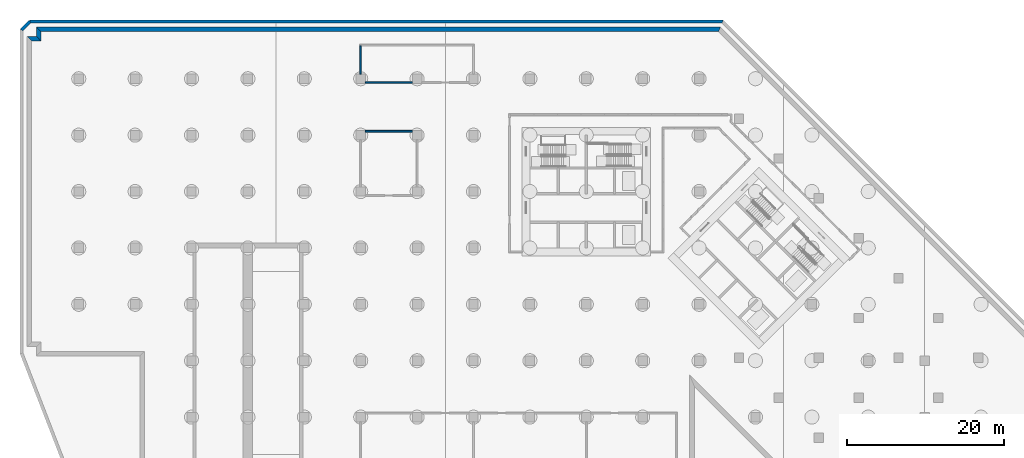
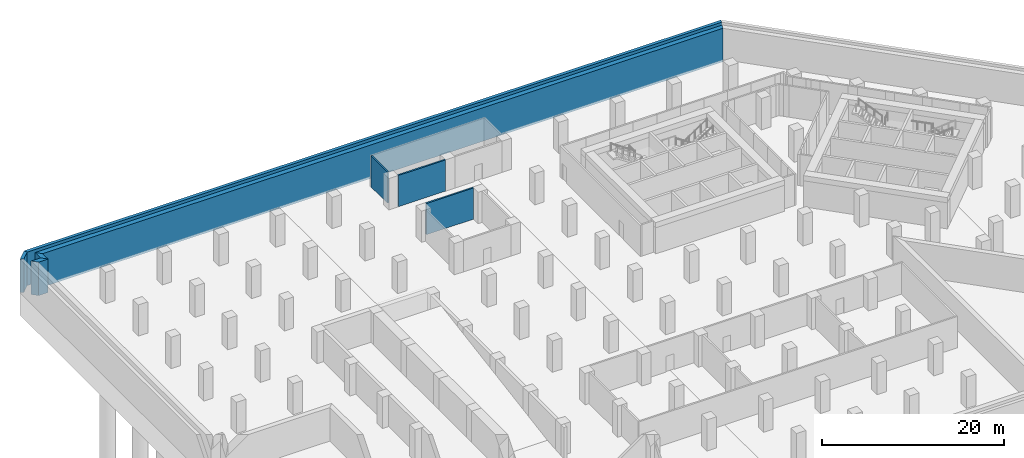
# One storey, part 8 of 12: 8 walls.
"""IFC4 building model written with IfcOpenShell, lengths in metres."""

from ifc_helpers import new_model, si_unit, direction, frame, frame_2d, origin, place, context, subcontext, project, spatial, polyline, rectangle, outline, extrude, material, layer, layer_set, type_object, element, save


model = new_model("IFC4")

# Units and contexts
model_context = context("Model", 3, precision=1e-05, world=origin(), true_north=direction((0.0, 1.0)))
body_context = subcontext(model_context, "Body", "Model", "MODEL_VIEW")
ifc_project = project(units=[si_unit("LENGTHUNIT", "METRE"), si_unit("AREAUNIT", "SQUARE_METRE"), si_unit("VOLUMEUNIT", "CUBIC_METRE"), si_unit("PLANEANGLEUNIT", "RADIAN"), si_unit("MASSUNIT", "GRAM", prefix="KILO")], contexts=[model_context])

# Site, building, storey
site_placement = place(None, origin())
site = spatial("IfcSite", under=ifc_project, at=site_placement, CompositionType="ELEMENT")
building_placement = place(site_placement, origin())
building = spatial("IfcBuilding", under=site, at=building_placement, Name="Windrow Commons", CompositionType="ELEMENT")
storey_placement = place(building_placement, frame((0.0, 0.0, -9.0)))
storey = spatial("IfcBuildingStorey", under=building, at=storey_placement, Name="B2", CompositionType="ELEMENT", Elevation=-9.0)

# Walls
ifc_material_1 = material(Name="Blockwork partition", Category="masonry")
ifc_layer_1 = layer(ifc_material_1, 0.2)
ifc_layer_set_1 = layer_set([ifc_layer_1], Name="CP-PART-200")
wall_type_1 = type_object("IfcWallType", Name="CP-PART-200", PredefinedType="PARTITIONING", material=ifc_layer_set_1)
wall_1_placement = place(storey_placement, frame((36.0, 72.6, 0.0), z_axis=(0.0, 0.0, 1.0), x_axis=(0.0, 1.0, 0.0)))
element("IfcWall", 1, at=wall_1_placement, inside=storey, type_object=wall_type_1, Name="Plant room wall 08", PredefinedType="PARTITIONING", context=body_context, shape_type="SweptSolid", body=[
    extrude(rectangle(XDim=3.6, YDim=0.2, at=frame_2d((1.8, 0.0))), origin(), (0.0, 0.0, 1.0), 4.2),
])
for number, where, z_axis, x_axis, name in (
    (2, (36.6, 65.3, 0.0), (0.0, 0.0, 1.0), (1.0, 0.0, 0.0), "Plant room wall 27"),
    (3, (36.6, 71.5, 0.0), (0.0, 0.0, 1.0), (1.0, 0.0, 0.0), "Plant room wall 28"),
):
    element("IfcWall", number, at=place(storey_placement, frame(where, z_axis=z_axis, x_axis=x_axis)), inside=storey, type_object=wall_type_1, Name=name, PredefinedType="PARTITIONING", context=body_context, shape_type="SweptSolid", body=[
        extrude(rectangle(XDim=6.0, YDim=0.2, at=frame_2d((3.0, 0.0))), origin(), (0.0, 0.0, 1.0), 4.2),
    ])
ifc_material_2 = material(Name="Concrete C40/50", Category="concrete")
ifc_layer_2 = layer(ifc_material_2, 0.4)
ifc_layer_set_2 = layer_set([ifc_layer_2], Name="RC RETAINING WALL 400 C40/50")
wall_type_2 = type_object("IfcWallType", Name="RC RETAINING WALL 400 C40/50", PredefinedType="SOLIDWALL", material=ifc_layer_set_2)
wall_2_placement = place(storey_placement, frame((-7.3, 78.2172, -0.3), z_axis=(0.0, 0.0, 1.0), x_axis=(0.7071067812, 0.7071067812, 0.0)))
element("IfcWall", 4, at=wall_2_placement, inside=storey, type_object=wall_type_2, Name="Retaining wall raft edge B2-004", PredefinedType="SOLIDWALL", context=body_context, shape_type="SweptSolid", body=[
    extrude(outline(polyline([(0.0414, -0.2), (1.4899, -0.2), (1.5728, 0.2), (-0.0414, 0.2), (0.0414, -0.2)])), origin(), (0.0, 0.0, 1.0), 4.5),
])
wall_3_placement = place(storey_placement, frame((-6.2172, 79.3, -0.3), z_axis=(0.0, 0.0, 1.0), x_axis=(1.0, 0.0, 0.0)))
element("IfcWall", 5, at=wall_3_placement, inside=storey, type_object=wall_type_2, Name="Retaining wall raft edge B2-005", PredefinedType="SOLIDWALL", context=body_context, shape_type="SweptSolid", body=[
    extrude(outline(polyline([(0.0414, -0.2), (88.3995, -0.2), (88.4823, 0.2), (-0.0414, 0.2), (0.0414, -0.2)])), origin(), (0.0, 0.0, 1.0), 4.5),
])
ifc_material_3 = material(Name="Concrete C40/50", Category="concrete")
ifc_layer_3 = layer(ifc_material_3, 0.6)
ifc_layer_set_3 = layer_set([ifc_layer_3], Name="RC RETAINING WALL 600 C40/50")
wall_type_3 = type_object("IfcWallType", Name="RC RETAINING WALL 600 C40/50", PredefinedType="SOLIDWALL", material=ifc_layer_set_3)
placement = place(storey_placement, frame((0.0, 0.0, -0.3)))
element("IfcWall", 6, at=placement, inside=storey, type_object=wall_type_3, Name="Retaining wall B2-10", PredefinedType="SOLIDWALL", context=body_context, shape_type="SweptSolid", body=[
    extrude(outline(polyline([(81.6853, 78.0), (-4.8, 78.0), (-5.4, 78.6), (81.9338, 78.6), (81.6853, 78.0)])), origin(), (0.0, 0.0, 1.0), 4.5),
])
element("IfcWall", 7, at=placement, inside=storey, type_object=wall_type_3, Name="Retaining wall B2-11", PredefinedType="SOLIDWALL", context=body_context, shape_type="SweptSolid", body=[
    extrude(outline(polyline([(-4.8, 78.0), (-4.8, 76.8), (-5.4, 77.4), (-5.4, 78.6), (-4.8, 78.0)])), origin(), (0.0, 0.0, 1.0), 4.5),
])
element("IfcWall", 8, at=placement, inside=storey, type_object=wall_type_3, Name="Retaining wall B2-12", PredefinedType="SOLIDWALL", context=body_context, shape_type="SweptSolid", body=[
    extrude(outline(polyline([(-4.8, 76.8), (-6.0, 76.8), (-6.6, 77.4), (-5.4, 77.4), (-4.8, 76.8)])), origin(), (0.0, 0.0, 1.0), 4.5),
])

save(model, "model.ifc")
